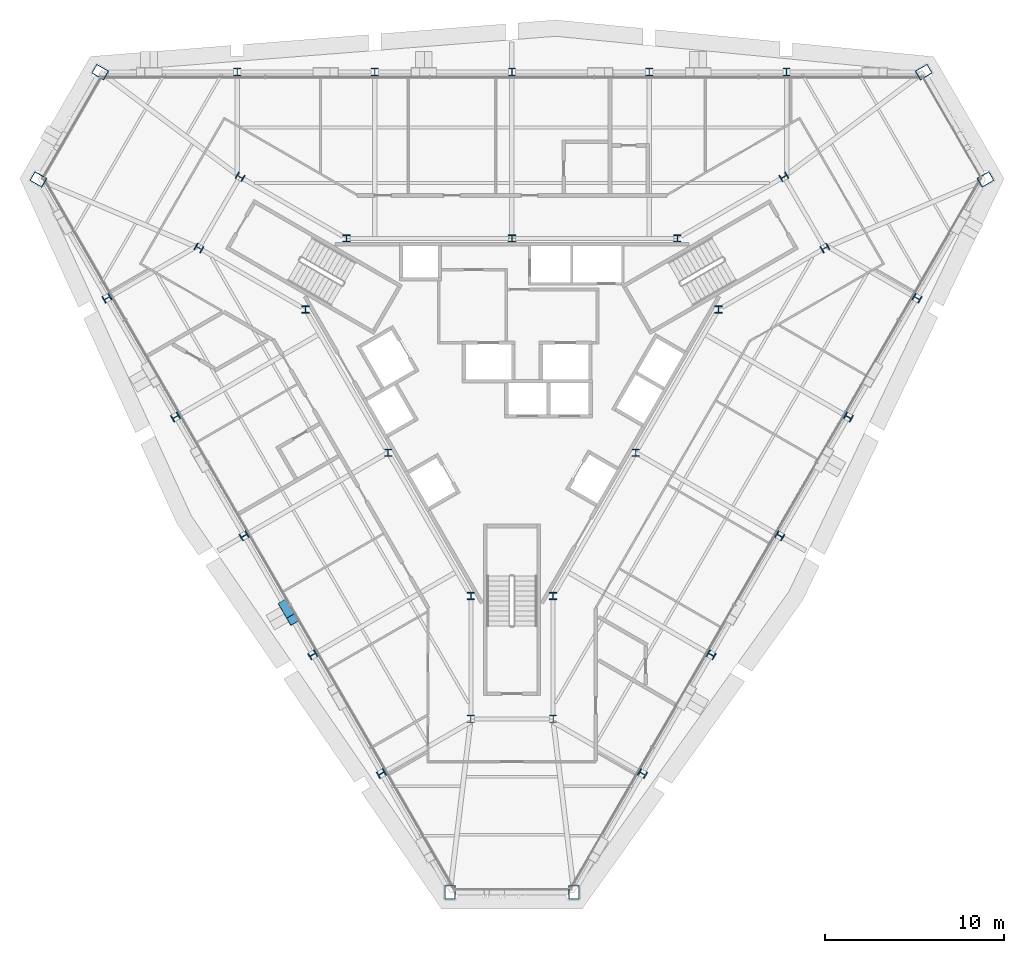
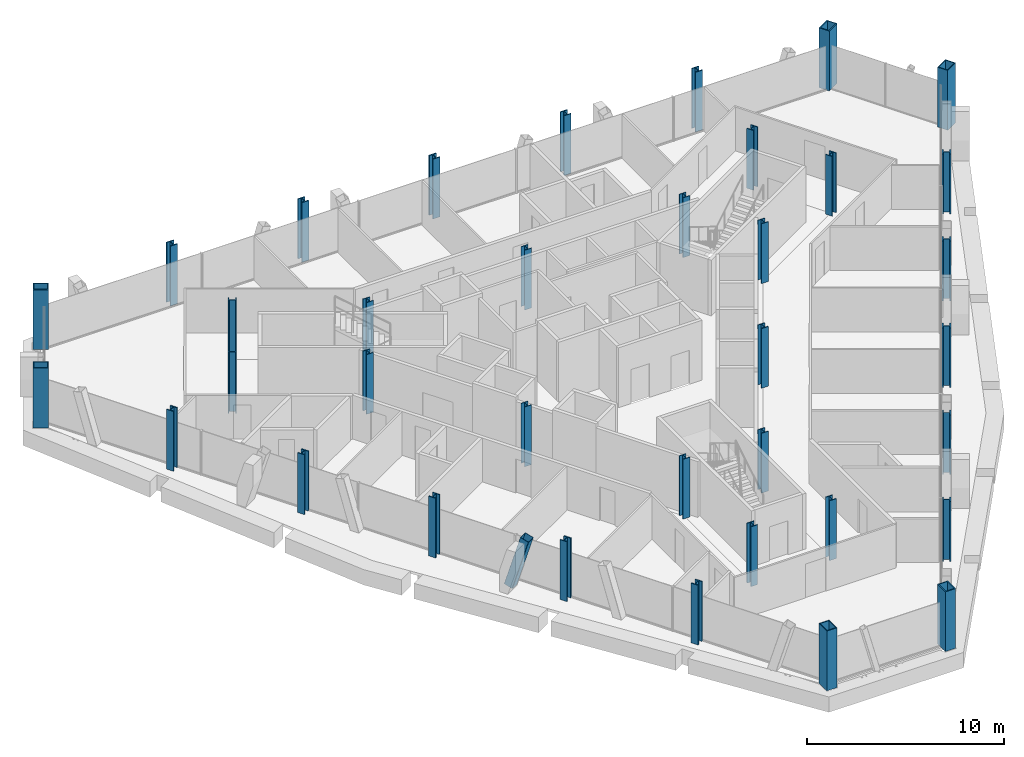
# One storey, part 1 of 13: 36 columns, 1 member.
"""IFC4 building model written with IfcOpenShell, lengths in metres."""

import ifcopenshell
import ifcopenshell.guid

model = None  # the IFC model being written
_history = None  # IfcOwnerHistory: only IFC2X3 demands one
_inside = {}  # id of a spatial element -> (the spatial element, [elements in it])
_under = {}  # id of a project, library or spatial element -> (it, [spatial elements below it])
_declared = {}  # id of a project -> (the project, [libraries it declares])
_typed = {}  # id of a type object -> (the type object, [elements of that type])
_made_of = {}  # id of a material, layer set ... -> (it, [elements and type objects made of it])


def new_model(schema):
    """Start an empty IFC model of exactly this schema.

    Asked for "IFC4X3", IfcOpenShell would pick the latest addendum, in which some entities
    have other attributes; the version numbers below select the first issue.
    IFC2X3 requires an IfcOwnerHistory on every rooted entity: one is made here for all.
    """
    global model, _history
    if schema == "IFC4X3":
        model = ifcopenshell.file(schema_version=(4, 3, 0, 0))
    else:
        model = ifcopenshell.file(schema=schema)
    _inside.clear()
    _under.clear()
    _declared.clear()
    _typed.clear()
    _made_of.clear()
    _history = None
    if model.schema == "IFC2X3":
        org = make("IfcOrganization", Name="unknown")
        user = make(
            "IfcPersonAndOrganization",
            ThePerson=make("IfcPerson", FamilyName="unknown"),
            TheOrganization=org,
        )
        app = make(
            "IfcApplication",
            ApplicationDeveloper=org,
            Version="unknown",
            ApplicationFullName="unknown",
            ApplicationIdentifier="unknown",
        )
        _history = make(
            "IfcOwnerHistory",
            OwningUser=user,
            OwningApplication=app,
            ChangeAction="ADDED",
            CreationDate=0,
        )
    return model


def make(cls, **values):
    """One entity of the class cls with the attributes given. An attribute that is None is left unset."""
    return model.create_entity(
        cls, **{name: value for name, value in values.items() if value is not None}
    )


def rooted(cls, **values):
    """An entity with a GlobalId (a new one), such as an element, a storey or a relation."""
    return make(cls, GlobalId=ifcopenshell.guid.new(), OwnerHistory=_history, **values)


def si_unit(unit_type, name, prefix=None):
    """IfcSIUnit, for example si_unit("LENGTHUNIT", "METRE", prefix="MILLI")."""
    return make("IfcSIUnit", UnitType=unit_type, Prefix=prefix, Name=name)


def assignment(units):
    """IfcUnitAssignment: the units of a project."""
    return None if units is None else make("IfcUnitAssignment", Units=units)


def point(xyz):
    """IfcCartesianPoint."""
    return None if xyz is None else make("IfcCartesianPoint", Coordinates=xyz)


def direction(xyz):
    """IfcDirection."""
    return None if xyz is None else make("IfcDirection", DirectionRatios=xyz)


def frame(location, z_axis=None, x_axis=None):
    """IfcAxis2Placement3D, a coordinate frame: its origin and axes. An axis left out is left unset."""
    return make(
        "IfcAxis2Placement3D",
        Location=point(location),
        Axis=direction(z_axis),
        RefDirection=direction(x_axis),
    )


def frame_2d(location, x_axis=None):
    """IfcAxis2Placement2D, a coordinate frame in the plane: its origin and x axis."""
    return make(
        "IfcAxis2Placement2D", Location=point(location), RefDirection=direction(x_axis)
    )


def origin():
    """The frame at (0, 0, 0) with its axes left unset."""
    return frame((0.0, 0.0, 0.0))


def origin_2d():
    """The frame at (0, 0) in the plane with its x axis left unset."""
    return frame_2d((0.0, 0.0))


def place(relative_to, where):
    """IfcLocalPlacement: puts the frame where relative to a parent placement (None: the world)."""
    return make(
        "IfcLocalPlacement", PlacementRelTo=relative_to, RelativePlacement=where
    )


def context(
    kind, dimensions, precision=None, world=None, true_north=None, identifier=None
):
    """IfcGeometricRepresentationContext, for example the 3D "Model" context."""
    return make(
        "IfcGeometricRepresentationContext",
        ContextIdentifier=identifier,
        ContextType=kind,
        CoordinateSpaceDimension=dimensions,
        Precision=precision,
        WorldCoordinateSystem=world,
        TrueNorth=true_north,
    )


def subcontext(parent, identifier, kind, view, scale=None):
    """IfcGeometricRepresentationSubContext, for example "Body" below "Model"."""
    return make(
        "IfcGeometricRepresentationSubContext",
        ContextIdentifier=identifier,
        ContextType=kind,
        ParentContext=parent,
        TargetScale=scale,
        TargetView=view,
    )


def project(units=None, contexts=None):
    """IfcProject with its units and contexts."""
    return rooted(
        "IfcProject",
        Name="project",
        RepresentationContexts=contexts,
        UnitsInContext=assignment(units),
    )


def spatial(cls, under=None, at=None, **own):
    """A site, building, storey or space (cls), placed at a placement, below another one or the project."""
    s = rooted(cls, ObjectPlacement=at, **own)
    if under is not None:
        _under.setdefault(under.id(), (under, []))[1].append(s)
    return s


def profile(cls, at=None, kind="AREA", **sizes):
    """A parametric profile (cls). Its sizes go by their IFC names, for example OverallWidth=200.0."""
    return make(cls, ProfileType=kind, Position=at, **sizes)


def hollow_rectangle(**sizes):
    """IfcRectangleHollowProfileDef."""
    return profile("IfcRectangleHollowProfileDef", **sizes)


def i_section(**sizes):
    """IfcIShapeProfileDef."""
    return profile("IfcIShapeProfileDef", **sizes)


def extrude(swept, where, along, depth):
    """IfcExtrudedAreaSolid: the profile swept, set in the frame where, extruded along a direction by depth."""
    return make(
        "IfcExtrudedAreaSolid",
        SweptArea=swept,
        Position=where,
        ExtrudedDirection=direction(along),
        Depth=depth,
    )


def shape(context_of_items, identifier, shape_type, items):
    """IfcShapeRepresentation: the items that make up one representation, for example the "Body"."""
    return make(
        "IfcShapeRepresentation",
        ContextOfItems=context_of_items,
        RepresentationIdentifier=identifier,
        RepresentationType=shape_type,
        Items=items,
    )


def material(Name=None, Category=None):
    """IfcMaterial."""
    return make("IfcMaterial", Name=Name, Category=Category)


def material_profile(
    of_material, cross_section, Name=None, Category=None, Priority=None
):
    """IfcMaterialProfile: a cross section and its material."""
    return make(
        "IfcMaterialProfile",
        Name=Name,
        Material=of_material,
        Profile=cross_section,
        Priority=Priority,
        Category=Category,
    )


def profile_set(profiles, Name=None, composite=None):
    """IfcMaterialProfileSet."""
    return make(
        "IfcMaterialProfileSet",
        Name=Name,
        MaterialProfiles=profiles,
        CompositeProfile=composite,
    )


def made_of(thing, what):
    """Note that an element or type object is made of a material, layer set ...; save() writes the relation."""
    if what is not None:
        _made_of.setdefault(what.id(), (what, []))[1].append(thing)
    return thing


def type_object(cls, material=None, **own):
    """A type object (cls), such as IfcWallType, which elements share."""
    return made_of(rooted(cls, **own), material)


def element(
    cls,
    number,
    at=None,
    inside=None,
    cuts=None,
    type_object=None,
    material=None,
    context=None,
    identifier="Body",
    shape_type=None,
    held_by="IfcProductDefinitionShape",
    body=None,
    shapes=None,
    **own,
):
    """One element of the class cls, such as IfcWall. Its Tag is "e" and its number.

    at: its placement. inside: the storey or other place that contains it. cuts: it is an
    opening in that element (IfcRelVoidsElement). A single representation is given by context,
    identifier, shape_type and body (its items); several are given by shapes. held_by: the class
    of the entity that holds the representations. save() writes the other relations.
    """
    e = rooted(cls, Tag="e%d" % number, ObjectPlacement=at, **own)
    if body is not None:
        shapes = [shape(context, identifier, shape_type, body)]
    if shapes is not None:
        e.Representation = make(held_by, Representations=shapes)
    if inside is not None:
        _inside.setdefault(inside.id(), (inside, []))[1].append(e)
    if cuts is not None:
        rooted(
            "IfcRelVoidsElement", RelatingBuildingElement=cuts, RelatedOpeningElement=e
        )
    if type_object is not None:
        _typed.setdefault(type_object.id(), (type_object, []))[1].append(e)
    return made_of(e, material)


def aggregate(whole, parts):
    """IfcRelAggregates: a whole, such as a stair, and the parts it consists of."""
    return rooted("IfcRelAggregates", RelatingObject=whole, RelatedObjects=parts)


def save(model, path):
    """Write the relations noted so far, then the file.

    IfcRelAggregates (storeys below a building ...), IfcRelContainedInSpatialStructure (elements
    in a storey), IfcRelDefinesByType, IfcRelAssociatesMaterial and IfcRelDeclares: one each for
    every whole, place, type object, material and project.
    """
    for whole, parts in _under.values():
        aggregate(whole, parts)
    for where, things in _inside.values():
        rooted(
            "IfcRelContainedInSpatialStructure",
            RelatedElements=things,
            RelatingStructure=where,
        )
    for kind, things in _typed.values():
        rooted("IfcRelDefinesByType", RelatedObjects=things, RelatingType=kind)
    for what, things in _made_of.values():
        rooted("IfcRelAssociatesMaterial", RelatedObjects=things, RelatingMaterial=what)
    for by, libraries in _declared.values():
        rooted("IfcRelDeclares", RelatingContext=by, RelatedDefinitions=libraries)
    model.write(path)


model = new_model("IFC4")

# Units and contexts
model_context = context("Model", 3, precision=1e-05, world=origin(), true_north=direction((0.0, 1.0)))
body_context = subcontext(model_context, "Body", "Model", "MODEL_VIEW")
ifc_project = project(units=[si_unit("LENGTHUNIT", "METRE"), si_unit("AREAUNIT", "SQUARE_METRE"), si_unit("VOLUMEUNIT", "CUBIC_METRE"), si_unit("PLANEANGLEUNIT", "RADIAN"), si_unit("MASSUNIT", "GRAM", prefix="KILO")], contexts=[model_context])

# Site, building, storey
site_placement = place(None, origin())
site = spatial("IfcSite", under=ifc_project, at=site_placement, CompositionType="ELEMENT")
building_placement = place(site_placement, origin())
building = spatial("IfcBuilding", under=site, at=building_placement, Name="Verrane Prism Tower", CompositionType="ELEMENT")
storey_placement = place(building_placement, frame((0.0, 0.0, 163.60009765625)))
storey = spatial("IfcBuildingStorey", under=building, at=storey_placement, Name="L40", CompositionType="ELEMENT", Elevation=163.60009765625)

# Columns
ifc_material_1 = material(Name="Steel A992", Category="steel")
ifc_material_profile_1 = material_profile(ifc_material_1, i_section(OverallWidth=0.406494140625, OverallDepth=0.41650390625, WebThickness=0.030029296875, FlangeThickness=0.048095703125, FilletRadius=0.01513671875, at=origin_2d()), Name="W14x257")
ifc_profile_set_1 = profile_set([ifc_material_profile_1], Name="Steel A992")
column_type_1 = type_object("IfcColumnType", Name="Core corner column W14x257", PredefinedType="COLUMN", material=ifc_profile_set_1)
for number, where, z_axis, x_axis, name in (
    (1, (17.52001953125, 7.4599609375, 0.0), (0.0, 0.0, 1.0), (0.5, -0.866025403784, 0.0), "Core corner column CK-NEm L40"),
    (2, (15.219970703125, 11.43994140625, 0.0), (0.0, 0.0, 1.0), (0.5, -0.866025403784, 0.0), "Core corner column CK-NEp L40"),
    (3, (-15.219970703125, 11.43994140625, 0.0), (0.0, 0.0, 1.0), (0.5, 0.866025403784, 0.0), "Core corner column CK-NWm L40"),
    (4, (-17.52001953125, 7.4599609375, 0.0), (0.0, 0.0, 1.0), (0.5, 0.866025403784, 0.0), "Core corner column CK-NWp L40"),
    (5, (-2.300048828125, -18.89990234375, 0.0), (0.0, 0.0, 1.0), (-1.0, 0.0, 0.0), "Core corner column CK-Sm L40"),
    (6, (2.300048828125, -18.89990234375, 0.0), (0.0, 0.0, 1.0), (-1.0, 0.0, 0.0), "Core corner column CK-Sp L40"),
):
    element("IfcColumn", number, at=place(storey_placement, frame(where, z_axis=z_axis, x_axis=x_axis)), inside=storey, type_object=column_type_1, Name=name, PredefinedType="COLUMN", context=body_context, shape_type="SweptSolid", body=[
        extrude(i_section(OverallWidth=0.406494140625, OverallDepth=0.41650390625, WebThickness=0.030029296875, FlangeThickness=0.048095703125, FilletRadius=0.01513671875, at=origin_2d()), origin(), (0.0, 0.0, 1.0), 3.699951171875),
    ])
ifc_material_2 = material(Name="Steel A992", Category="steel")
ifc_material_profile_2 = material_profile(ifc_material_2, i_section(OverallWidth=0.4013671875, OverallDepth=0.398681640625, WebThickness=0.02490234375, FlangeThickness=0.03955078125, FilletRadius=0.01513671875, at=origin_2d()), Name="W14x211")
ifc_profile_set_2 = profile_set([ifc_material_profile_2], Name="Steel A992")
column_type_2 = type_object("IfcColumnType", Name="Core side column W14x211", PredefinedType="COLUMN", material=ifc_profile_set_2)
for number, where, z_axis, x_axis, name in (
    (7, (11.56005859375, 4.02001953125, 0.0), (0.0, 0.0, 1.0), (1.0, 0.0, 0.0), "Core side column CC-NEm L40"),
    (8, (9.260009765625, 8.0, 0.0), (0.0, 0.0, 1.0), (1.0, 0.0, 0.0), "Core side column CC-NEp L40"),
    (9, (0.0, 8.0, 0.0), (0.0, 0.0, 1.0), (1.0, 0.0, 0.0), "Core side column CC-N0 L40"),
    (10, (-9.260009765625, 8.0, 0.0), (0.0, 0.0, 1.0), (1.0, 0.0, 0.0), "Core side column CC-NWm L40"),
    (11, (-11.56005859375, 4.02001953125, 0.0), (0.0, 0.0, 1.0), (1.0, 0.0, 0.0), "Core side column CC-NWp L40"),
    (12, (-6.929931640625, -4.0, 0.0), (0.0, 0.0, 1.0), (1.0, 0.0, 0.0), "Core side column CC-SW0 L40"),
    (13, (-2.300048828125, -12.02001953125, 0.0), (0.0, 0.0, 1.0), (1.0, 0.0, 0.0), "Core side column CC-Sm L40"),
    (14, (2.300048828125, -12.02001953125, 0.0), (0.0, 0.0, 1.0), (1.0, 0.0, 0.0), "Core side column CC-Sp L40"),
    (15, (6.929931640625, -4.0, 0.0), (0.0, 0.0, 1.0), (1.0, 0.0, 0.0), "Core side column CC-SE0 L40"),
):
    element("IfcColumn", number, at=place(storey_placement, frame(where, z_axis=z_axis, x_axis=x_axis)), inside=storey, type_object=column_type_2, Name=name, PredefinedType="COLUMN", context=body_context, shape_type="SweptSolid", body=[
        extrude(i_section(OverallWidth=0.4013671875, OverallDepth=0.398681640625, WebThickness=0.02490234375, FlangeThickness=0.03955078125, FilletRadius=0.01513671875, at=origin_2d()), origin(), (0.0, 0.0, 1.0), 3.699951171875),
    ])
ifc_material_3 = material(Name="Steel A572 Grade 50", Category="steel")
ifc_material_profile_3 = material_profile(ifc_material_3, hollow_rectangle(XDim=0.60009765625, YDim=0.800048828125, WallThickness=0.050048828125, at=origin_2d()), Name="BOX 800x600x50")
ifc_profile_set_3 = profile_set([ifc_material_profile_3], Name="Steel A572 Grade 50")
column_type_3 = type_object("IfcColumnType", Name="Megacolumn BOX 800x600x50", PredefinedType="COLUMN", material=ifc_profile_set_3)
for number, where, z_axis, x_axis, name in (
    (16, (23.050048828125, 17.31005859375, 0.0), (0.0, 0.0, 1.0), (0.5, -0.866025403784, 0.0), "Megacolumn MC-NE.b L40"),
    (17, (-23.050048828125, 17.31005859375, 0.0), (0.0, 0.0, 1.0), (0.5, 0.866025403784, 0.0), "Megacolumn MC-NW.a L40"),
    (18, (-26.510009765625, 11.300048828125, 0.0), (0.0, 0.0, 1.0), (0.5, 0.866025403784, 0.0), "Megacolumn MC-NW.b L40"),
    (19, (-3.469970703125, -28.610107421875, 0.0), (0.0, 0.0, 1.0), (-1.0, 0.0, 0.0), "Megacolumn MC-S.a L40"),
    (20, (3.469970703125, -28.610107421875, 0.0), (0.0, 0.0, 1.0), (-1.0, 0.0, 0.0), "Megacolumn MC-S.b L40"),
    (21, (26.510009765625, 11.300048828125, 0.0), (0.0, 0.0, 1.0), (0.5, -0.866025403784, 0.0), "Megacolumn MC-NE.a L40"),
):
    element("IfcColumn", number, at=place(storey_placement, frame(where, z_axis=z_axis, x_axis=x_axis)), inside=storey, type_object=column_type_3, Name=name, PredefinedType="COLUMN", context=body_context, shape_type="SweptSolid", body=[
        extrude(hollow_rectangle(XDim=0.60009765625, YDim=0.800048828125, WallThickness=0.050048828125, at=origin_2d()), origin(), (0.0, 0.0, 1.0), 3.699951171875),
    ])
ifc_material_4 = material(Name="Steel A992", Category="steel")
ifc_material_profile_4 = material_profile(ifc_material_4, i_section(OverallWidth=0.411376953125, OverallDepth=0.434326171875, WebThickness=0.035888671875, FlangeThickness=0.057373046875, FilletRadius=0.01513671875, at=origin_2d()), Name="W14x311")
ifc_profile_set_4 = profile_set([ifc_material_profile_4], Name="Steel A992")
column_type_4 = type_object("IfcColumnType", Name="Perimeter column W14x311", PredefinedType="COLUMN", material=ifc_profile_set_4)
for number, where, z_axis, x_axis, name in (
    (22, (15.3701171875, 17.31005859375, 0.0), (0.0, 0.0, 1.0), (1.0, 0.0, 0.0), "Perimeter column PC-N1 L40"),
    (23, (7.679931640625, 17.31005859375, 0.0), (0.0, 0.0, 1.0), (1.0, 0.0, 0.0), "Perimeter column PC-N2 L40"),
    (24, (0.0, 17.31005859375, 0.0), (0.0, 0.0, 1.0), (1.0, 0.0, 0.0), "Perimeter column PC-N3 L40"),
    (25, (-7.679931640625, 17.31005859375, 0.0), (0.0, 0.0, 1.0), (1.0, 0.0, 0.0), "Perimeter column PC-N4 L40"),
    (26, (-15.3701171875, 17.31005859375, 0.0), (0.0, 0.0, 1.0), (1.0, 0.0, 0.0), "Perimeter column PC-N5 L40"),
    (27, (-22.669921875, 4.64990234375, 0.0), (0.0, 0.0, 1.0), (-0.5, 0.866025403784, 0.0), "Perimeter column PC-SW1 L40"),
    (28, (-18.830078125, -2.0, 0.0), (0.0, 0.0, 1.0), (-0.5, 0.866025403784, 0.0), "Perimeter column PC-SW2 L40"),
    (29, (-14.989990234375, -8.64990234375, 0.0), (0.0, 0.0, 1.0), (-0.5, 0.866025403784, 0.0), "Perimeter column PC-SW3 L40"),
    (30, (-11.14990234375, -15.31005859375, 0.0), (0.0, 0.0, 1.0), (-0.5, 0.866025403784, 0.0), "Perimeter column PC-SW4 L40"),
    (31, (-7.31005859375, -21.9599609375, 0.0), (0.0, 0.0, 1.0), (-0.5, 0.866025403784, 0.0), "Perimeter column PC-SW5 L40"),
    (32, (7.31005859375, -21.9599609375, 0.0), (0.0, 0.0, 1.0), (-0.5, -0.866025403784, 0.0), "Perimeter column PC-SE1 L40"),
    (33, (11.14990234375, -15.31005859375, 0.0), (0.0, 0.0, 1.0), (-0.5, -0.866025403784, 0.0), "Perimeter column PC-SE2 L40"),
    (34, (14.989990234375, -8.64990234375, 0.0), (0.0, 0.0, 1.0), (-0.5, -0.866025403784, 0.0), "Perimeter column PC-SE3 L40"),
    (35, (18.830078125, -2.0, 0.0), (0.0, 0.0, 1.0), (-0.5, -0.866025403784, 0.0), "Perimeter column PC-SE4 L40"),
    (36, (22.669921875, 4.64990234375, 0.0), (0.0, 0.0, 1.0), (-0.5, -0.866025403784, 0.0), "Perimeter column PC-SE5 L40"),
):
    element("IfcColumn", number, at=place(storey_placement, frame(where, z_axis=z_axis, x_axis=x_axis)), inside=storey, type_object=column_type_4, Name=name, PredefinedType="COLUMN", context=body_context, shape_type="SweptSolid", body=[
        extrude(i_section(OverallWidth=0.411376953125, OverallDepth=0.434326171875, WebThickness=0.035888671875, FlangeThickness=0.057373046875, FilletRadius=0.01513671875, at=origin_2d()), origin(), (0.0, 0.0, 1.0), 3.699951171875),
    ])

# Member
ifc_material_5 = material(Name="Steel A500 Grade C", Category="steel")
ifc_material_profile_5 = material_profile(ifc_material_5, hollow_rectangle(XDim=0.508056640625, YDim=0.508056640625, WallThickness=0.01904296875, InnerFilletRadius=0.009521484375, OuterFilletRadius=0.028564453125, at=origin_2d()), Name="HSS20x20x3/4")
ifc_profile_set_5 = profile_set([ifc_material_profile_5], Name="Steel A500 Grade C")
member_type = type_object("IfcMemberType", Name="Facade brace HSS20x20x3/4", PredefinedType="BRACE", material=ifc_profile_set_5)
member_placement = place(storey_placement, frame((-12.75830078125, -12.5205078125, -0.216796875), z_axis=(0.142130918057, -0.246477418948, 0.95866974714), x_axis=(0.866288399192, 0.499544201673, 0.0)))
element("IfcMember", 37, at=member_placement, inside=storey, type_object=member_type, Name="Facade brace SW3 L40", PredefinedType="BRACE", context=body_context, shape_type="SweptSolid", body=[
    extrude(hollow_rectangle(XDim=0.508056640625, YDim=0.508056640625, WallThickness=0.01904296875, InnerFilletRadius=0.009521484375, OuterFilletRadius=0.028564453125, at=origin_2d()), origin(), (0.0, 0.0, 1.0), 3.333984375),
])

save(model, "model.ifc")
